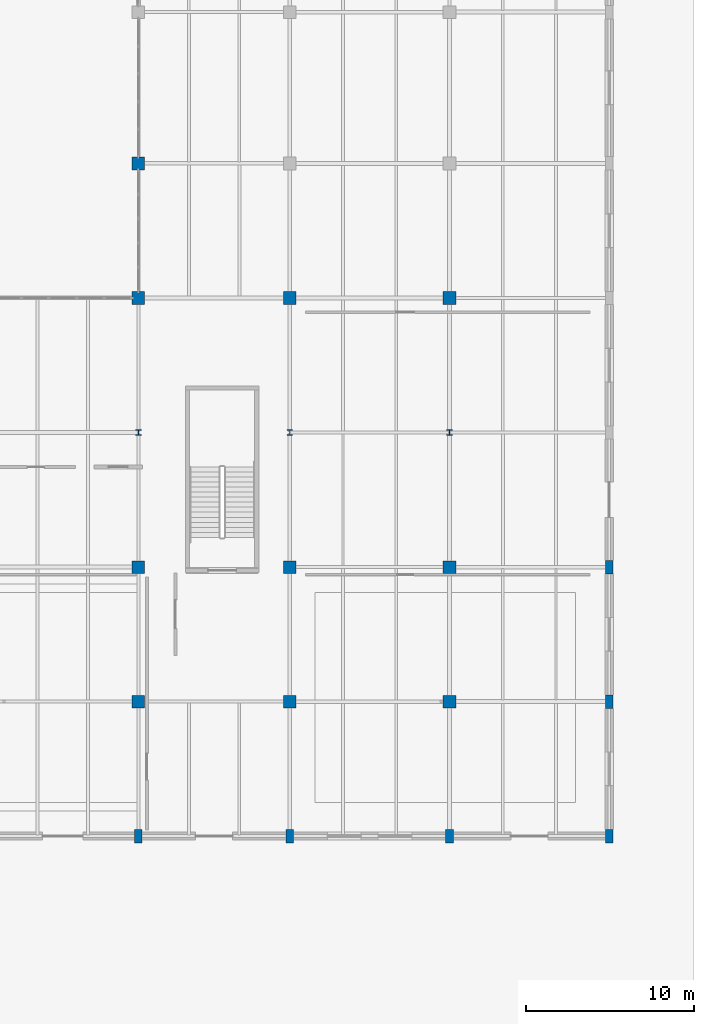
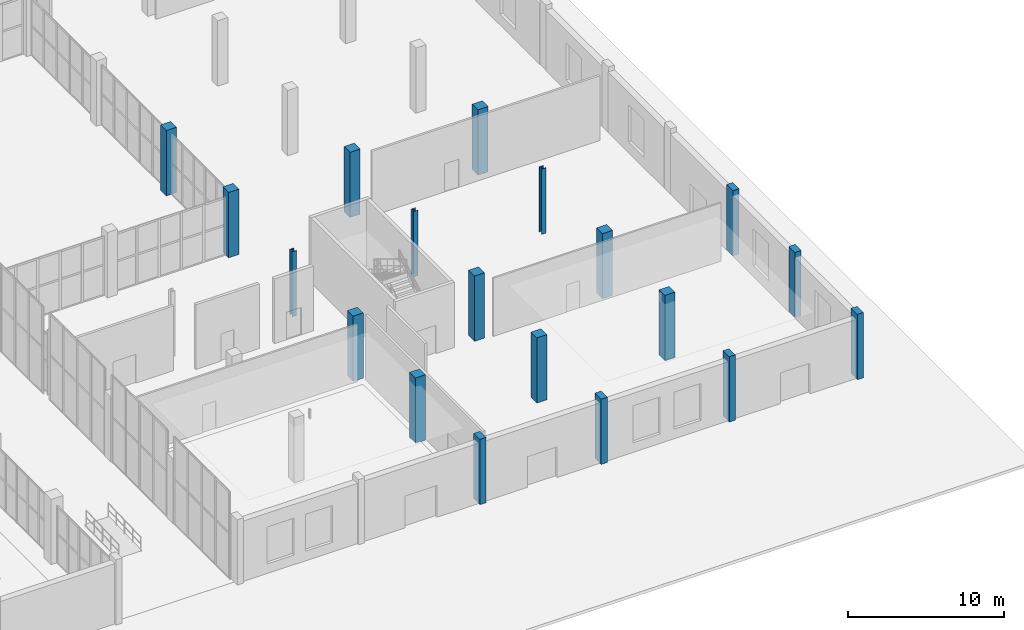
# One storey, part 25 of 103: 19 columns.
"""IFC4 building model written with IfcOpenShell, lengths in metres."""

from ifc_helpers import new_model, si_unit, direction, frame, origin, origin_2d, place, context, subcontext, project, spatial, rectangle, i_section, extrude, material, material_profile, profile_set, type_object, element, save


model = new_model("IFC4")

# Units and contexts
model_context = context("Model", 3, precision=1e-05, world=origin(), true_north=direction((0.0, 1.0)))
body_context = subcontext(model_context, "Body", "Model", "MODEL_VIEW")
ifc_project = project(units=[si_unit("LENGTHUNIT", "METRE"), si_unit("AREAUNIT", "SQUARE_METRE"), si_unit("VOLUMEUNIT", "CUBIC_METRE"), si_unit("PLANEANGLEUNIT", "RADIAN"), si_unit("MASSUNIT", "GRAM", prefix="KILO")], contexts=[model_context])

# Site, building, storey
site_placement = place(None, origin())
site = spatial("IfcSite", under=ifc_project, at=site_placement, CompositionType="ELEMENT")
building_placement = place(site_placement, origin())
building = spatial("IfcBuilding", under=site, at=building_placement, Name="Marnock Terrace Opera House", CompositionType="ELEMENT")
storey_placement = place(building_placement, origin())
storey = spatial("IfcBuildingStorey", under=building, at=storey_placement, Name="L00", CompositionType="ELEMENT", Elevation=0.0)

# Columns
ifc_material_1 = material(Name="Concrete N40 (f'c = 40 MPa)", Category="concrete")
ifc_material_profile_1 = material_profile(ifc_material_1, rectangle(XDim=0.449951171875, YDim=0.800048828125, at=origin_2d()))
ifc_profile_set_1 = profile_set([ifc_material_profile_1], Name="Concrete N40 (f'c = 40 MPa)")
column_type_1 = type_object("IfcColumnType", Name="COL-PIL-800", PredefinedType="PILASTER", material=ifc_profile_set_1)
for number, where, z_axis, x_axis, name in (
    (1, (136.0, 8.0, 0.0), (0.0, 0.0, 1.0), (1.0, 0.0, 0.0), "L00 column at (136.0, 8.0)"),
    (2, (145.0, 8.0, 0.0), (0.0, 0.0, 1.0), (1.0, 0.0, 0.0), "L00 column at (145.0, 8.0)"),
    (3, (154.5, 8.0, 0.0), (0.0, 0.0, 1.0), (1.0, 0.0, 0.0), "L00 column at (154.5, 8.0)"),
    (4, (164.0, 8.0, 0.0), (0.0, 0.0, 1.0), (1.0, 0.0, 0.0), "L00 column at (164.0, 8.0)"),
    (5, (164.0, 16.0, 0.0), (0.0, 0.0, 1.0), (1.0, 0.0, 0.0), "L00 column at (164.0, 16.0)"),
    (6, (164.0, 24.0, 0.0), (0.0, 0.0, 1.0), (1.0, 0.0, 0.0), "L00 column at (164.0, 24.0)"),
):
    element("IfcColumn", number, at=place(storey_placement, frame(where, z_axis=z_axis, x_axis=x_axis)), inside=storey, type_object=column_type_1, Name=name, PredefinedType="PILASTER", context=body_context, shape_type="SweptSolid", body=[
        extrude(rectangle(XDim=0.449951171875, YDim=0.800048828125, at=origin_2d()), origin(), (0.0, 0.0, 1.0), 5.1201171875),
    ])
ifc_material_2 = material(Name="Concrete N50 (f'c = 50 MPa)", Category="concrete")
ifc_material_profile_2 = material_profile(ifc_material_2, rectangle(XDim=0.75, YDim=0.75, at=origin_2d()))
ifc_profile_set_2 = profile_set([ifc_material_profile_2], Name="Concrete N50 (f'c = 50 MPa)")
column_type_2 = type_object("IfcColumnType", Name="COL-RC750", PredefinedType="COLUMN", material=ifc_profile_set_2)
for number, where, z_axis, x_axis, name in (
    (7, (136.0, 16.0, 0.0), (0.0, 0.0, 1.0), (1.0, 0.0, 0.0), "L00 column at (136.0, 16.0)"),
    (8, (136.0, 24.0, 0.0), (0.0, 0.0, 1.0), (1.0, 0.0, 0.0), "L00 column at (136.0, 24.0)"),
    (9, (136.0, 40.0, 0.0), (0.0, 0.0, 1.0), (1.0, 0.0, 0.0), "L00 column at (136.0, 40.0)"),
    (10, (136.0, 48.0, 0.0), (0.0, 0.0, 1.0), (1.0, 0.0, 0.0), "L00 column at (136.0, 48.0)"),
    (11, (145.0, 16.0, 0.0), (0.0, 0.0, 1.0), (1.0, 0.0, 0.0), "L00 column at (145.0, 16.0)"),
    (12, (145.0, 24.0, 0.0), (0.0, 0.0, 1.0), (1.0, 0.0, 0.0), "L00 column at (145.0, 24.0)"),
    (13, (145.0, 40.0, 0.0), (0.0, 0.0, 1.0), (1.0, 0.0, 0.0), "L00 column at (145.0, 40.0)"),
    (14, (154.5, 16.0, 0.0), (0.0, 0.0, 1.0), (1.0, 0.0, 0.0), "L00 column at (154.5, 16.0)"),
    (15, (154.5, 24.0, 0.0), (0.0, 0.0, 1.0), (1.0, 0.0, 0.0), "L00 column at (154.5, 24.0)"),
    (16, (154.5, 40.0, 0.0), (0.0, 0.0, 1.0), (1.0, 0.0, 0.0), "L00 column at (154.5, 40.0)"),
):
    element("IfcColumn", number, at=place(storey_placement, frame(where, z_axis=z_axis, x_axis=x_axis)), inside=storey, type_object=column_type_2, Name=name, PredefinedType="COLUMN", context=body_context, shape_type="SweptSolid", body=[
        extrude(rectangle(XDim=0.75, YDim=0.75, at=origin_2d()), origin(), (0.0, 0.0, 1.0), 5.1201171875),
    ])
ifc_material_3 = material(Name="Steel Grade 350 (AS/NZS 3679.1)", Category="steel")
ifc_material_profile_3 = material_profile(ifc_material_3, i_section(OverallWidth=0.31103515625, OverallDepth=0.3271484375, WebThickness=0.015625, FlangeThickness=0.02490234375, FilletRadius=0.0166015625, at=origin_2d()))
ifc_profile_set_3 = profile_set([ifc_material_profile_3], Name="Steel Grade 350 (AS/NZS 3679.1)")
column_type_3 = type_object("IfcColumnType", Name="COL-UC310A", PredefinedType="COLUMN", material=ifc_profile_set_3)
for number, where, z_axis, x_axis, name in (
    (17, (136.0, 32.0, 0.0), (0.0, 0.0, 1.0), (1.0, 0.0, 0.0), "L00 column at (136.0, 32.0)"),
    (18, (145.0, 32.0, 0.0), (0.0, 0.0, 1.0), (1.0, 0.0, 0.0), "L00 column at (145.0, 32.0)"),
    (19, (154.5, 32.0, 0.0), (0.0, 0.0, 1.0), (1.0, 0.0, 0.0), "L00 column at (154.5, 32.0)"),
):
    element("IfcColumn", number, at=place(storey_placement, frame(where, z_axis=z_axis, x_axis=x_axis)), inside=storey, type_object=column_type_3, Name=name, PredefinedType="COLUMN", context=body_context, shape_type="SweptSolid", body=[
        extrude(i_section(OverallWidth=0.31103515625, OverallDepth=0.3271484375, WebThickness=0.015625, FlangeThickness=0.02490234375, FilletRadius=0.0166015625, at=origin_2d()), origin(), (0.0, 0.0, 1.0), 5.1201171875),
    ])

save(model, "model.ifc")
